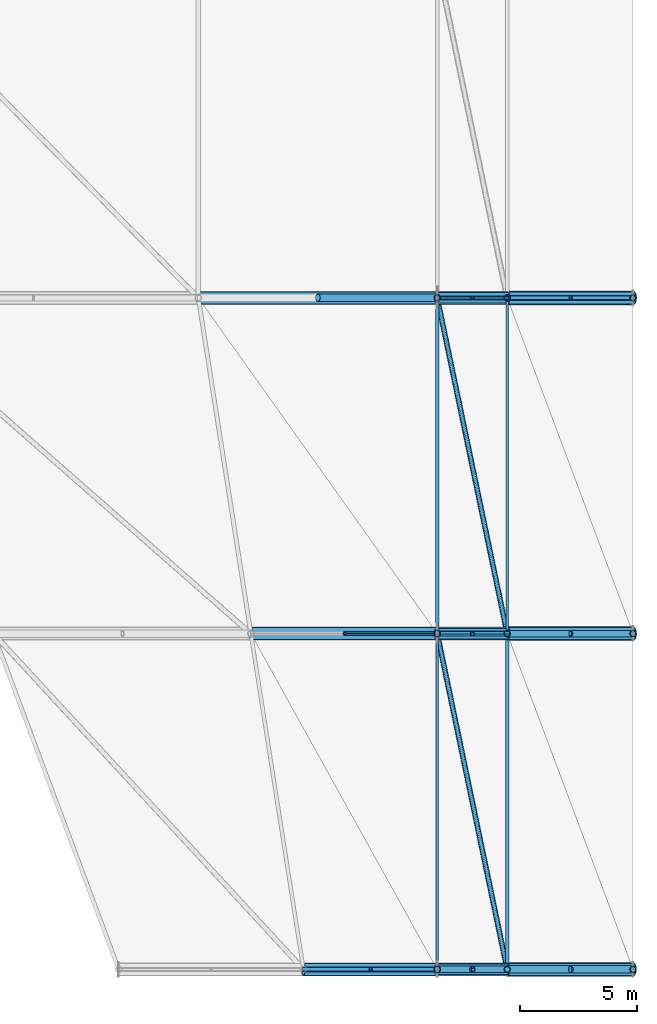
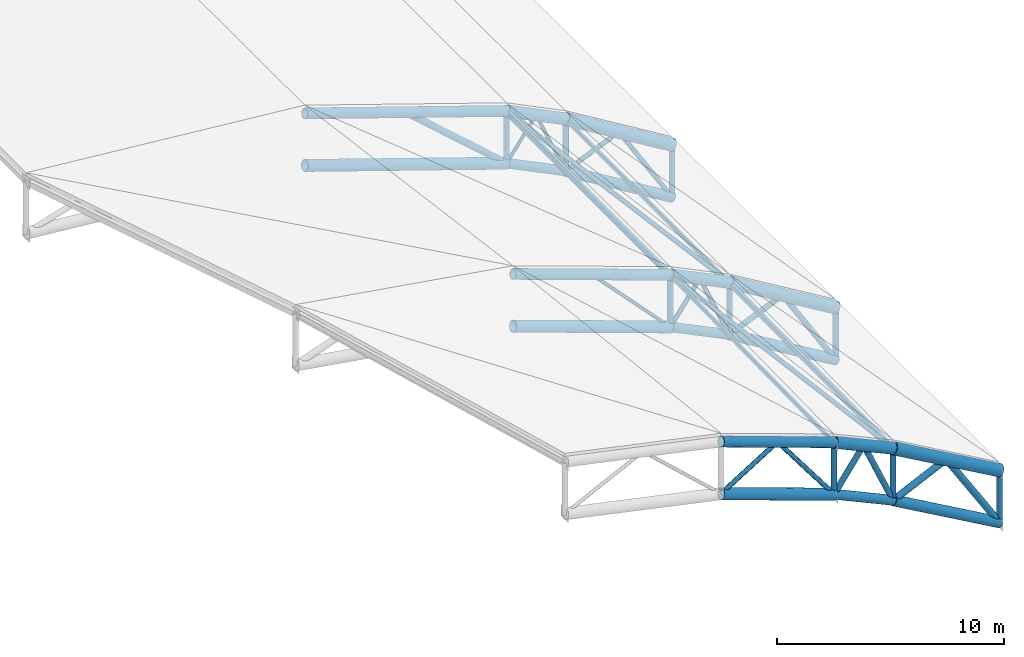
# One storey, part 16 of 36: 49 members.
"""IFC4 building model written with IfcOpenShell, lengths in metres."""

from ifc_helpers import new_model, si_unit, direction, frame, origin, origin_2d, place, context, subcontext, project, spatial, hollow_rectangle, hollow_circle, i_section, extrude, material, material_profile, profile_set, type_object, element, save


model = new_model("IFC4")

# Units and contexts
model_context = context("Model", 3, precision=1e-05, world=origin(), true_north=direction((0.0, 1.0)))
body_context = subcontext(model_context, "Body", "Model", "MODEL_VIEW")
ifc_project = project(units=[si_unit("LENGTHUNIT", "METRE"), si_unit("AREAUNIT", "SQUARE_METRE"), si_unit("VOLUMEUNIT", "CUBIC_METRE"), si_unit("PLANEANGLEUNIT", "RADIAN"), si_unit("MASSUNIT", "GRAM", prefix="KILO")], contexts=[model_context])

# Site, building, storey
site_placement = place(None, origin())
site = spatial("IfcSite", under=ifc_project, at=site_placement, CompositionType="ELEMENT")
building_placement = place(site_placement, origin())
building = spatial("IfcBuilding", under=site, at=building_placement, Name="Koshinbarg Plaza Stadium", CompositionType="ELEMENT")
storey_placement = place(building_placement, frame((0.0, 0.0, 34.199951171875)))
storey = spatial("IfcBuildingStorey", under=building, at=storey_placement, Name="RF", CompositionType="ELEMENT", Elevation=34.199951171875)

# Members
ifc_material = material(Name="Steel S355", Category="steel")
ifc_material_profile_1 = material_profile(ifc_material, hollow_circle(Radius=0.279541015625, WallThickness=0.022216796875, at=origin_2d()), Name="CHS 559x22.2")
ifc_profile_set_1 = profile_set([ifc_material_profile_1], Name="Steel S355")
member_type_1 = type_object("IfcMemberType", Name="MB-ARCH-BOT", PredefinedType="CHORD", material=ifc_profile_set_1)
member_1_placement = place(storey_placement, frame((189.39990234375, 25.5, -0.353271484375), z_axis=(-0.941982839682, 0.0, 0.335661033999), x_axis=(0.0, -1.0, 0.0)))
element("IfcMember", 1, at=member_1_placement, inside=storey, type_object=member_type_1, Name="Quarter-barrel roof truss bottom chord ERB-01-3", PredefinedType="CHORD", context=body_context, shape_type="SweptSolid", body=[
    extrude(hollow_circle(Radius=0.279541015625, WallThickness=0.022216796875, at=origin_2d()), origin(), (0.0, 0.0, 1.0), 6.09228515625),
])
member_2_placement = place(storey_placement, frame((189.39990234375, 39.89990234375, -0.10302734375), z_axis=(-0.942098779922, 0.0, 0.335335487041), x_axis=(0.0, -1.0, 0.0)))
element("IfcMember", 2, at=member_2_placement, inside=storey, type_object=member_type_1, Name="Quarter-barrel roof truss bottom chord ERB-02-3", PredefinedType="CHORD", context=body_context, shape_type="SweptSolid", body=[
    extrude(hollow_circle(Radius=0.279541015625, WallThickness=0.022216796875, at=origin_2d()), origin(), (0.0, 0.0, 1.0), 8.484619140625),
])
member_3_placement = place(storey_placement, frame((189.39990234375, 54.300048828125, -0.0400390625), z_axis=(-0.947427718422, 0.0, 0.319969871027), x_axis=(0.0, -1.0, 0.0)))
element("IfcMember", 3, at=member_3_placement, inside=storey, type_object=member_type_1, Name="Quarter-barrel roof truss bottom chord ERB-03-3", PredefinedType="CHORD", context=body_context, shape_type="SweptSolid", body=[
    extrude(hollow_circle(Radius=0.279541015625, WallThickness=0.022216796875, at=origin_2d()), origin(), (0.0, 0.0, 1.0), 10.81640625),
])
ifc_material_profile_2 = material_profile(ifc_material, hollow_circle(Radius=0.25390625, WallThickness=0.02001953125, at=origin_2d()), Name="CHS 508x20")
ifc_profile_set_2 = profile_set([ifc_material_profile_2], Name="Steel S355")
member_type_2 = type_object("IfcMemberType", Name="MB-ARCH-TOP", PredefinedType="CHORD", material=ifc_profile_set_2)
member_4_placement = place(storey_placement, frame((189.39990234375, 25.5, 2.446533203125), z_axis=(-0.94197016826, 0.0, 0.335696592339), x_axis=(0.0, -1.0, 0.0)))
element("IfcMember", 4, at=member_4_placement, inside=storey, type_object=member_type_2, Name="Quarter-barrel roof truss top chord ERB-01-3", PredefinedType="CHORD", context=body_context, shape_type="SweptSolid", body=[
    extrude(hollow_circle(Radius=0.25390625, WallThickness=0.02001953125, at=origin_2d()), origin(), (0.0, 0.0, 1.0), 6.09228515625),
])
member_5_placement = place(storey_placement, frame((189.39990234375, 39.89990234375, 2.697021484375), z_axis=(-0.942098779922, 0.0, 0.335335487041), x_axis=(0.0, -1.0, 0.0)))
element("IfcMember", 5, at=member_5_placement, inside=storey, type_object=member_type_2, Name="Quarter-barrel roof truss top chord ERB-02-3", PredefinedType="CHORD", context=body_context, shape_type="SweptSolid", body=[
    extrude(hollow_circle(Radius=0.25390625, WallThickness=0.02001953125, at=origin_2d()), origin(), (0.0, 0.0, 1.0), 8.484619140625),
])
member_6_placement = place(storey_placement, frame((189.39990234375, 54.300048828125, 2.760009765625), z_axis=(-0.947427718422, 0.0, 0.319969871027), x_axis=(0.0, -1.0, 0.0)))
element("IfcMember", 6, at=member_6_placement, inside=storey, type_object=member_type_2, Name="Quarter-barrel roof truss top chord ERB-03-3", PredefinedType="CHORD", context=body_context, shape_type="SweptSolid", body=[
    extrude(hollow_circle(Radius=0.25390625, WallThickness=0.02001953125, at=origin_2d()), origin(), (0.0, 0.0, 1.0), 10.81640625),
])
ifc_material_profile_3 = material_profile(ifc_material, hollow_circle(Radius=0.161865234375, WallThickness=0.01416015625, at=origin_2d()), Name="CHS 323.9x14.2")
ifc_profile_set_3 = profile_set([ifc_material_profile_3], Name="Steel S355")
member_type_3 = type_object("IfcMemberType", Name="MB-BRACE-01", PredefinedType="BRACE", material=ifc_profile_set_3)
member_7_placement = place(storey_placement, frame((197.800048828125, 25.5, -4.800048828125), z_axis=(-0.528524662436, 0.0, 0.84891794727), x_axis=(0.0, -1.0, 0.0)))
element("IfcMember", 7, at=member_7_placement, inside=storey, type_object=member_type_3, Name="Quarter-barrel roof truss web diagonal ERB-01-1A", PredefinedType="BRACE", context=body_context, shape_type="SweptSolid", body=[
    extrude(hollow_circle(Radius=0.161865234375, WallThickness=0.01416015625, at=origin_2d()), origin(), (0.0, 0.0, 1.0), 5.1083984375),
])
member_8_placement = place(storey_placement, frame((195.10009765625, 25.5, -0.46337890625), z_axis=(-0.905785208446, 0.0, -0.423737130967), x_axis=(0.0, -1.0, 0.0)))
element("IfcMember", 8, at=member_8_placement, inside=storey, type_object=member_type_3, Name="Quarter-barrel roof truss web diagonal ERB-01-1B", PredefinedType="BRACE", context=body_context, shape_type="SweptSolid", body=[
    extrude(hollow_circle(Radius=0.161865234375, WallThickness=0.01416015625, at=origin_2d()), origin(), (0.0, 0.0, 1.0), 2.98095703125),
])
member_9_placement = place(storey_placement, frame((189.39990234375, 54.300048828125, -0.0400390625), z_axis=(-0.749161416462, 0.0, 0.662387478811), x_axis=(0.0, -1.0, 0.0)))
element("IfcMember", 9, at=member_9_placement, inside=storey, type_object=member_type_3, Name="Quarter-barrel roof truss web diagonal ERB-03-3A", PredefinedType="BRACE", context=body_context, shape_type="SweptSolid", body=[
    extrude(hollow_circle(Radius=0.161865234375, WallThickness=0.01416015625, at=origin_2d()), origin(), (0.0, 0.0, 1.0), 6.839599609375),
])
ifc_material_profile_4 = material_profile(ifc_material, hollow_circle(Radius=0.136474609375, WallThickness=0.012451171875, at=origin_2d()), Name="CHS 273x12.5")
ifc_profile_set_4 = profile_set([ifc_material_profile_4], Name="Steel S355")
member_type_4 = type_object("IfcMemberType", Name="MB-BRACE-02", PredefinedType="BRACE", material=ifc_profile_set_4)
member_10_placement = place(storey_placement, frame((192.39990234375, 25.5, -1.7265625), z_axis=(-0.395199828763, 0.0, 0.918595174898), x_axis=(0.0, -1.0, 0.0)))
element("IfcMember", 10, at=member_10_placement, inside=storey, type_object=member_type_4, Name="Quarter-barrel roof truss web diagonal ERB-01-2A", PredefinedType="BRACE", context=body_context, shape_type="SweptSolid", body=[
    extrude(hollow_circle(Radius=0.136474609375, WallThickness=0.012451171875, at=origin_2d()), origin(), (0.0, 0.0, 1.0), 3.795654296875),
])
member_11_placement = place(storey_placement, frame((190.89990234375, 25.5, 1.760009765625), z_axis=(-0.578811678148, 0.0, -0.815461244474), x_axis=(0.0, -1.0, 0.0)))
element("IfcMember", 11, at=member_11_placement, inside=storey, type_object=member_type_4, Name="Quarter-barrel roof truss web diagonal ERB-01-2B", PredefinedType="BRACE", context=body_context, shape_type="SweptSolid", body=[
    extrude(hollow_circle(Radius=0.136474609375, WallThickness=0.012451171875, at=origin_2d()), origin(), (0.0, 0.0, 1.0), 2.591552734375),
])
member_12_placement = place(storey_placement, frame((197.800048828125, 25.5, -4.800048828125), z_axis=(0.0, 0.0, 1.0), x_axis=(1.0, 0.0, 0.0)))
element("IfcMember", 12, at=member_12_placement, inside=storey, type_object=member_type_4, Name="Quarter-barrel roof truss post ERB-01-1", PredefinedType="BRACE", context=body_context, shape_type="SweptSolid", body=[
    extrude(hollow_circle(Radius=0.136474609375, WallThickness=0.012451171875, at=origin_2d()), origin(), (0.0, 0.0, 1.0), 2.800048828125),
])
for number, where, z_axis, x_axis, name in (
    (13, (192.39990234375, 25.5, -1.7265625), (0.0, 0.0, 1.0), (1.0, 0.0, 0.0), "Quarter-barrel roof truss post ERB-01-2"),
    (14, (189.39990234375, 25.5, -0.353271484375), (0.0, 0.0, 1.0), (1.0, 0.0, 0.0), "Quarter-barrel roof truss post ERB-01-3"),
):
    element("IfcMember", number, at=place(storey_placement, frame(where, z_axis=z_axis, x_axis=x_axis)), inside=storey, type_object=member_type_4, Name=name, PredefinedType="BRACE", context=body_context, shape_type="SweptSolid", body=[
        extrude(hollow_circle(Radius=0.136474609375, WallThickness=0.012451171875, at=origin_2d()), origin(), (0.0, 0.0, 1.0), 2.7998046875),
    ])
member_13_placement = place(storey_placement, frame((197.800048828125, 39.89990234375, -4.800048828125), z_axis=(-0.521188821641, 0.0, 0.853441393534), x_axis=(0.0, -1.0, 0.0)))
element("IfcMember", 15, at=member_13_placement, inside=storey, type_object=member_type_4, Name="Quarter-barrel roof truss web diagonal ERB-02-1A", PredefinedType="BRACE", context=body_context, shape_type="SweptSolid", body=[
    extrude(hollow_circle(Radius=0.136474609375, WallThickness=0.012451171875, at=origin_2d()), origin(), (0.0, 0.0, 1.0), 5.180419921875),
])
member_14_placement = place(storey_placement, frame((195.10009765625, 39.89990234375, -0.37890625), z_axis=(-0.916453757084, 0.0, -0.400140614192), x_axis=(0.0, -1.0, 0.0)))
element("IfcMember", 16, at=member_14_placement, inside=storey, type_object=member_type_4, Name="Quarter-barrel roof truss web diagonal ERB-02-1B", PredefinedType="BRACE", context=body_context, shape_type="SweptSolid", body=[
    extrude(hollow_circle(Radius=0.136474609375, WallThickness=0.012451171875, at=origin_2d()), origin(), (0.0, 0.0, 1.0), 2.9462890625),
])
for number, where, z_axis, x_axis, name in (
    (17, (197.800048828125, 39.89990234375, -4.800048828125), (0.0, 0.0, 1.0), (1.0, 0.0, 0.0), "Quarter-barrel roof truss post ERB-02-1"),
    (18, (192.39990234375, 39.89990234375, -1.557861328125), (0.0, 0.0, 1.0), (1.0, 0.0, 0.0), "Quarter-barrel roof truss post ERB-02-2"),
    (19, (189.39990234375, 39.89990234375, -0.10302734375), (0.0, 0.0, 1.0), (1.0, 0.0, 0.0), "Quarter-barrel roof truss post ERB-02-3"),
    (20, (197.800048828125, 54.300048828125, -4.800048828125), (0.0, 0.0, 1.0), (1.0, 0.0, 0.0), "Quarter-barrel roof truss post ERB-03-1"),
    (21, (192.39990234375, 54.300048828125, -1.51513671875), (0.0, 0.0, 1.0), (1.0, 0.0, 0.0), "Quarter-barrel roof truss post ERB-03-2"),
    (22, (189.39990234375, 54.300048828125, -0.0400390625), (0.0, 0.0, 1.0), (1.0, 0.0, 0.0), "Quarter-barrel roof truss post ERB-03-3"),
):
    element("IfcMember", number, at=place(storey_placement, frame(where, z_axis=z_axis, x_axis=x_axis)), inside=storey, type_object=member_type_4, Name=name, PredefinedType="BRACE", context=body_context, shape_type="SweptSolid", body=[
        extrude(hollow_circle(Radius=0.136474609375, WallThickness=0.012451171875, at=origin_2d()), origin(), (0.0, 0.0, 1.0), 2.800048828125),
    ])
ifc_material_profile_5 = material_profile(ifc_material, hollow_circle(Radius=0.109619140625, WallThickness=0.010009765625, at=origin_2d()), Name="CHS 219.1x10")
ifc_profile_set_5 = profile_set([ifc_material_profile_5], Name="Steel S355")
member_type_5 = type_object("IfcMemberType", Name="MB-BRACE-03", PredefinedType="BRACE", material=ifc_profile_set_5)
member_15_placement = place(storey_placement, frame((189.39990234375, 25.5, -0.353271484375), z_axis=(-0.600335027586, 0.0, 0.799748619664), x_axis=(0.0, -1.0, 0.0)))
element("IfcMember", 23, at=member_15_placement, inside=storey, type_object=member_type_5, Name="Quarter-barrel roof truss web diagonal ERB-01-3A", PredefinedType="BRACE", context=body_context, shape_type="SweptSolid", body=[
    extrude(hollow_circle(Radius=0.109619140625, WallThickness=0.010009765625, at=origin_2d()), origin(), (0.0, 0.0, 1.0), 4.779541015625),
])
member_16_placement = place(storey_placement, frame((186.530517578125, 25.5, 3.46923828125), z_axis=(-0.850092457954, 0.0, -0.526633471145), x_axis=(0.0, -1.0, 0.0)))
element("IfcMember", 24, at=member_16_placement, inside=storey, type_object=member_type_5, Name="Quarter-barrel roof truss web diagonal ERB-01-3B", PredefinedType="BRACE", context=body_context, shape_type="SweptSolid", body=[
    extrude(hollow_circle(Radius=0.109619140625, WallThickness=0.010009765625, at=origin_2d()), origin(), (0.0, 0.0, 1.0), 3.37548828125),
])
member_17_placement = place(storey_placement, frame((192.39990234375, 39.89990234375, -1.557861328125), z_axis=(-0.391311912373, 0.0, 0.92025810903), x_axis=(0.0, -1.0, 0.0)))
element("IfcMember", 25, at=member_17_placement, inside=storey, type_object=member_type_5, Name="Quarter-barrel roof truss web diagonal ERB-02-2A", PredefinedType="BRACE", context=body_context, shape_type="SweptSolid", body=[
    extrude(hollow_circle(Radius=0.109619140625, WallThickness=0.010009765625, at=origin_2d()), origin(), (0.0, 0.0, 1.0), 3.833251953125),
])
member_18_placement = place(storey_placement, frame((190.89990234375, 39.89990234375, 1.9697265625), z_axis=(-0.586263716238, 0.0, -0.810120271949), x_axis=(0.0, -1.0, 0.0)))
element("IfcMember", 26, at=member_18_placement, inside=storey, type_object=member_type_5, Name="Quarter-barrel roof truss web diagonal ERB-02-2B", PredefinedType="BRACE", context=body_context, shape_type="SweptSolid", body=[
    extrude(hollow_circle(Radius=0.109619140625, WallThickness=0.010009765625, at=origin_2d()), origin(), (0.0, 0.0, 1.0), 2.55859375),
])
member_19_placement = place(storey_placement, frame((197.800048828125, 54.300048828125, -4.800048828125), z_axis=(-0.519370245222, 0.0, 0.854549324719), x_axis=(0.0, -1.0, 0.0)))
element("IfcMember", 27, at=member_19_placement, inside=storey, type_object=member_type_5, Name="Quarter-barrel roof truss web diagonal ERB-03-1A", PredefinedType="BRACE", context=body_context, shape_type="SweptSolid", body=[
    extrude(hollow_circle(Radius=0.109619140625, WallThickness=0.010009765625, at=origin_2d()), origin(), (0.0, 0.0, 1.0), 5.198486328125),
])
member_20_placement = place(storey_placement, frame((195.10009765625, 54.300048828125, -0.357666015625), z_axis=(-0.919114938458, 0.0, -0.393989504813), x_axis=(0.0, -1.0, 0.0)))
element("IfcMember", 28, at=member_20_placement, inside=storey, type_object=member_type_5, Name="Quarter-barrel roof truss web diagonal ERB-03-1B", PredefinedType="BRACE", context=body_context, shape_type="SweptSolid", body=[
    extrude(hollow_circle(Radius=0.109619140625, WallThickness=0.010009765625, at=origin_2d()), origin(), (0.0, 0.0, 1.0), 2.937744140625),
])
member_21_placement = place(storey_placement, frame((192.39990234375, 25.5, 1.0732421875), z_axis=(-0.202724061529, 0.973068896246, 0.109726378029), x_axis=(-0.978980143565, -0.203955579738, 0.0)))
element("IfcMember", 29, at=member_21_placement, inside=storey, type_object=member_type_5, Name="Roof plan wind brace east bay 1.2", PredefinedType="BRACE", context=body_context, shape_type="SweptSolid", body=[
    extrude(hollow_circle(Radius=0.109619140625, WallThickness=0.010009765625, at=origin_2d()), origin(), (0.0, 0.0, 1.0), 14.79833984375),
])
member_22_placement = place(storey_placement, frame((192.39990234375, 39.89990234375, 1.2421875), z_axis=(-0.202875047794, 0.973810135422, 0.102642754894), x_axis=(-0.978980833987, -0.203952265704, 0.0)))
element("IfcMember", 30, at=member_22_placement, inside=storey, type_object=member_type_5, Name="Roof plan wind brace east bay 2.2", PredefinedType="BRACE", context=body_context, shape_type="SweptSolid", body=[
    extrude(hollow_circle(Radius=0.109619140625, WallThickness=0.010009765625, at=origin_2d()), origin(), (0.0, 0.0, 1.0), 14.787353515625),
])
ifc_material_profile_6 = material_profile(ifc_material, hollow_circle(Radius=0.084228515625, WallThickness=0.008056640625, at=origin_2d()), Name="CHS 168.3x8")
ifc_profile_set_6 = profile_set([ifc_material_profile_6], Name="Steel S355")
member_type_6 = type_object("IfcMemberType", Name="MB-BRACE-04", PredefinedType="BRACE", material=ifc_profile_set_6)
member_23_placement = place(storey_placement, frame((189.39990234375, 39.89990234375, -0.10302734375), z_axis=(-0.687397482142, 0.0, 0.72628142035), x_axis=(0.0, -1.0, 0.0)))
element("IfcMember", 31, at=member_23_placement, inside=storey, type_object=member_type_6, Name="Quarter-barrel roof truss web diagonal ERB-02-3A", PredefinedType="BRACE", context=body_context, shape_type="SweptSolid", body=[
    extrude(hollow_circle(Radius=0.084228515625, WallThickness=0.008056640625, at=origin_2d()), origin(), (0.0, 0.0, 1.0), 5.81396484375),
])
member_24_placement = place(storey_placement, frame((192.39990234375, 54.300048828125, -1.51513671875), z_axis=(-0.390373616202, 0.0, 0.920656526492), x_axis=(0.0, -1.0, 0.0)))
element("IfcMember", 32, at=member_24_placement, inside=storey, type_object=member_type_6, Name="Quarter-barrel roof truss web diagonal ERB-03-2A", PredefinedType="BRACE", context=body_context, shape_type="SweptSolid", body=[
    extrude(hollow_circle(Radius=0.084228515625, WallThickness=0.008056640625, at=origin_2d()), origin(), (0.0, 0.0, 1.0), 3.842529296875),
])
member_25_placement = place(storey_placement, frame((190.89990234375, 54.300048828125, 2.0224609375), z_axis=(-0.588171697675, 0.0, -0.808736084303), x_axis=(0.0, -1.0, 0.0)))
element("IfcMember", 33, at=member_25_placement, inside=storey, type_object=member_type_6, Name="Quarter-barrel roof truss web diagonal ERB-03-2B", PredefinedType="BRACE", context=body_context, shape_type="SweptSolid", body=[
    extrude(hollow_circle(Radius=0.084228515625, WallThickness=0.008056640625, at=origin_2d()), origin(), (0.0, 0.0, 1.0), 2.55029296875),
])
ifc_material_profile_7 = material_profile(ifc_material, hollow_circle(Radius=0.304931640625, WallThickness=0.02490234375, at=origin_2d()), Name="CHS 610x25")
ifc_profile_set_7 = profile_set([ifc_material_profile_7], Name="Steel S355")
member_type_7 = type_object("IfcMemberType", Name="MB-CHORD-01", PredefinedType="CHORD", material=ifc_profile_set_7)
member_26_placement = place(storey_placement, frame((197.800048828125, 25.5, -2.0), z_axis=(-0.869112287244, 0.0, 0.494614832128), x_axis=(0.0, -1.0, 0.0)))
element("IfcMember", 34, at=member_26_placement, inside=storey, type_object=member_type_7, Name="Quarter-barrel roof truss top chord ERB-01-1", PredefinedType="CHORD", context=body_context, shape_type="SweptSolid", body=[
    extrude(hollow_circle(Radius=0.304931640625, WallThickness=0.02490234375, at=origin_2d()), origin(), (0.0, 0.0, 1.0), 6.21337890625),
])
member_27_placement = place(storey_placement, frame((197.800048828125, 39.89990234375, -2.0), z_axis=(-0.857345828386, 0.0, 0.514740838237), x_axis=(0.0, -1.0, 0.0)))
element("IfcMember", 35, at=member_27_placement, inside=storey, type_object=member_type_7, Name="Quarter-barrel roof truss top chord ERB-02-1", PredefinedType="CHORD", context=body_context, shape_type="SweptSolid", body=[
    extrude(hollow_circle(Radius=0.304931640625, WallThickness=0.02490234375, at=origin_2d()), origin(), (0.0, 0.0, 1.0), 6.298583984375),
])
member_28_placement = place(storey_placement, frame((197.800048828125, 54.300048828125, -2.0), z_axis=(-0.854348438745, 0.0, 0.519700630377), x_axis=(0.0, -1.0, 0.0)))
element("IfcMember", 36, at=member_28_placement, inside=storey, type_object=member_type_7, Name="Quarter-barrel roof truss top chord ERB-03-1", PredefinedType="CHORD", context=body_context, shape_type="SweptSolid", body=[
    extrude(hollow_circle(Radius=0.304931640625, WallThickness=0.02490234375, at=origin_2d()), origin(), (0.0, 0.0, 1.0), 6.32080078125),
])
ifc_material_profile_8 = material_profile(ifc_material, hollow_circle(Radius=0.279541015625, WallThickness=0.022216796875, at=origin_2d()), Name="CHS 559x22.2")
ifc_profile_set_8 = profile_set([ifc_material_profile_8], Name="Steel S355")
member_type_8 = type_object("IfcMemberType", Name="MB-CHORD-02", PredefinedType="CHORD", material=ifc_profile_set_8)
member_29_placement = place(storey_placement, frame((192.39990234375, 25.5, 1.0732421875), z_axis=(-0.909260911954, 0.0, 0.416226613748), x_axis=(0.0, -1.0, 0.0)))
element("IfcMember", 37, at=member_29_placement, inside=storey, type_object=member_type_8, Name="Quarter-barrel roof truss top chord ERB-01-2", PredefinedType="CHORD", context=body_context, shape_type="SweptSolid", body=[
    extrude(hollow_circle(Radius=0.279541015625, WallThickness=0.022216796875, at=origin_2d()), origin(), (0.0, 0.0, 1.0), 3.29931640625),
])
member_30_placement = place(storey_placement, frame((192.39990234375, 39.89990234375, 1.2421875), z_axis=(-0.899780132751, 0.0, 0.436343571864), x_axis=(0.0, -1.0, 0.0)))
element("IfcMember", 38, at=member_30_placement, inside=storey, type_object=member_type_8, Name="Quarter-barrel roof truss top chord ERB-02-2", PredefinedType="CHORD", context=body_context, shape_type="SweptSolid", body=[
    extrude(hollow_circle(Radius=0.279541015625, WallThickness=0.022216796875, at=origin_2d()), origin(), (0.0, 0.0, 1.0), 3.334228515625),
])
member_31_placement = place(storey_placement, frame((192.39990234375, 54.300048828125, 1.284912109375), z_axis=(-0.897386943952, 0.0, 0.441244459257), x_axis=(0.0, -1.0, 0.0)))
element("IfcMember", 39, at=member_31_placement, inside=storey, type_object=member_type_8, Name="Quarter-barrel roof truss top chord ERB-03-2", PredefinedType="CHORD", context=body_context, shape_type="SweptSolid", body=[
    extrude(hollow_circle(Radius=0.279541015625, WallThickness=0.022216796875, at=origin_2d()), origin(), (0.0, 0.0, 1.0), 3.343017578125),
])
ifc_material_profile_9 = material_profile(ifc_material, hollow_circle(Radius=0.25390625, WallThickness=0.02001953125, at=origin_2d()), Name="CHS 508x20")
ifc_profile_set_9 = profile_set([ifc_material_profile_9], Name="Steel S355")
member_type_9 = type_object("IfcMemberType", Name="MB-CHORD-03", PredefinedType="CHORD", material=ifc_profile_set_9)
member_32_placement = place(storey_placement, frame((197.800048828125, 25.5, -4.800048828125), z_axis=(-0.869095396141, 0.0, 0.494644511145), x_axis=(0.0, -1.0, 0.0)))
element("IfcMember", 40, at=member_32_placement, inside=storey, type_object=member_type_9, Name="Quarter-barrel roof truss bottom chord ERB-01-1", PredefinedType="CHORD", context=body_context, shape_type="SweptSolid", body=[
    extrude(hollow_circle(Radius=0.25390625, WallThickness=0.02001953125, at=origin_2d()), origin(), (0.0, 0.0, 1.0), 6.213623046875),
])
member_33_placement = place(storey_placement, frame((197.800048828125, 39.89990234375, -4.800048828125), z_axis=(-0.857345828386, 0.0, 0.514740838237), x_axis=(0.0, -1.0, 0.0)))
element("IfcMember", 41, at=member_33_placement, inside=storey, type_object=member_type_9, Name="Quarter-barrel roof truss bottom chord ERB-02-1", PredefinedType="CHORD", context=body_context, shape_type="SweptSolid", body=[
    extrude(hollow_circle(Radius=0.25390625, WallThickness=0.02001953125, at=origin_2d()), origin(), (0.0, 0.0, 1.0), 6.298583984375),
])
member_34_placement = place(storey_placement, frame((197.800048828125, 54.300048828125, -4.800048828125), z_axis=(-0.854348438745, 0.0, 0.519700630377), x_axis=(0.0, -1.0, 0.0)))
element("IfcMember", 42, at=member_34_placement, inside=storey, type_object=member_type_9, Name="Quarter-barrel roof truss bottom chord ERB-03-1", PredefinedType="CHORD", context=body_context, shape_type="SweptSolid", body=[
    extrude(hollow_circle(Radius=0.25390625, WallThickness=0.02001953125, at=origin_2d()), origin(), (0.0, 0.0, 1.0), 6.32080078125),
])
ifc_material_profile_10 = material_profile(ifc_material, hollow_circle(Radius=0.228515625, WallThickness=0.02001953125, at=origin_2d()), Name="CHS 457x20")
ifc_profile_set_10 = profile_set([ifc_material_profile_10], Name="Steel S355")
member_type_10 = type_object("IfcMemberType", Name="MB-CHORD-04", PredefinedType="CHORD", material=ifc_profile_set_10)
member_35_placement = place(storey_placement, frame((192.39990234375, 25.5, -1.7265625), z_axis=(-0.909260911954, 0.0, 0.416226613748), x_axis=(0.0, -1.0, 0.0)))
element("IfcMember", 43, at=member_35_placement, inside=storey, type_object=member_type_10, Name="Quarter-barrel roof truss bottom chord ERB-01-2", PredefinedType="CHORD", context=body_context, shape_type="SweptSolid", body=[
    extrude(hollow_circle(Radius=0.228515625, WallThickness=0.02001953125, at=origin_2d()), origin(), (0.0, 0.0, 1.0), 3.29931640625),
])
member_36_placement = place(storey_placement, frame((192.39990234375, 39.89990234375, -1.557861328125), z_axis=(-0.899780132751, 0.0, 0.436343571864), x_axis=(0.0, -1.0, 0.0)))
element("IfcMember", 44, at=member_36_placement, inside=storey, type_object=member_type_10, Name="Quarter-barrel roof truss bottom chord ERB-02-2", PredefinedType="CHORD", context=body_context, shape_type="SweptSolid", body=[
    extrude(hollow_circle(Radius=0.228515625, WallThickness=0.02001953125, at=origin_2d()), origin(), (0.0, 0.0, 1.0), 3.334228515625),
])
member_37_placement = place(storey_placement, frame((192.39990234375, 54.300048828125, -1.51513671875), z_axis=(-0.897386943952, 0.0, 0.441244459257), x_axis=(0.0, -1.0, 0.0)))
element("IfcMember", 45, at=member_37_placement, inside=storey, type_object=member_type_10, Name="Quarter-barrel roof truss bottom chord ERB-03-2", PredefinedType="CHORD", context=body_context, shape_type="SweptSolid", body=[
    extrude(hollow_circle(Radius=0.228515625, WallThickness=0.02001953125, at=origin_2d()), origin(), (0.0, 0.0, 1.0), 3.343017578125),
])
ifc_material_profile_11 = material_profile(ifc_material, hollow_rectangle(XDim=0.14990234375, YDim=0.25, WallThickness=0.010009765625, at=origin_2d()), Name="RHS 250x150x10")
ifc_profile_set_11 = profile_set([ifc_material_profile_11], Name="Steel S355")
member_type_11 = type_object("IfcMemberType", Name="MB-PURL-02", PredefinedType="PURLIN", material=ifc_profile_set_11)
member_38_placement = place(storey_placement, frame((192.39990234375, 25.5, 1.053466796875), z_axis=(0.0, 0.999931381313, 0.01171463471), x_axis=(-1.0, 0.0, 0.0)))
element("IfcMember", 46, at=member_38_placement, inside=storey, type_object=member_type_11, Name="Roof longitudinal purlin east bay 1.2", PredefinedType="PURLIN", context=body_context, shape_type="SweptSolid", body=[
    extrude(hollow_rectangle(XDim=0.14990234375, YDim=0.25, WallThickness=0.010009765625, at=origin_2d()), origin(), (0.0, 0.0, 1.0), 14.40087890625),
])
ifc_material_profile_12 = material_profile(ifc_material, hollow_rectangle(XDim=0.10009765625, YDim=0.199951171875, WallThickness=0.008056640625, at=origin_2d()), Name="RHS 200x100x8")
ifc_profile_set_12 = profile_set([ifc_material_profile_12], Name="Steel S355")
member_type_12 = type_object("IfcMemberType", Name="MB-PURL-03", PredefinedType="PURLIN", material=ifc_profile_set_12)
member_39_placement = place(storey_placement, frame((189.39990234375, 25.5, 2.4267578125), z_axis=(0.0, 0.999849033568, 0.017375559652), x_axis=(-1.0, 0.0, 0.0)))
element("IfcMember", 47, at=member_39_placement, inside=storey, type_object=member_type_12, Name="Roof longitudinal purlin east bay 1.3", PredefinedType="PURLIN", context=body_context, shape_type="SweptSolid", body=[
    extrude(hollow_rectangle(XDim=0.10009765625, YDim=0.199951171875, WallThickness=0.008056640625, at=origin_2d()), origin(), (0.0, 0.0, 1.0), 14.402099609375),
])
member_40_placement = place(storey_placement, frame((192.39990234375, 39.89990234375, 1.22216796875), z_axis=(0.0, 0.999995598613, 0.002966943522), x_axis=(-1.0, 0.0, 0.0)))
element("IfcMember", 48, at=member_40_placement, inside=storey, type_object=member_type_12, Name="Roof longitudinal purlin east bay 2.2", PredefinedType="PURLIN", context=body_context, shape_type="SweptSolid", body=[
    extrude(hollow_rectangle(XDim=0.10009765625, YDim=0.199951171875, WallThickness=0.008056640625, at=origin_2d()), origin(), (0.0, 0.0, 1.0), 14.400146484375),
])
ifc_material_profile_13 = material_profile(ifc_material, i_section(OverallWidth=0.14990234375, OverallDepth=0.300048828125, WebThickness=0.007080078125, FlangeThickness=0.0107421875, at=origin_2d()), Name="IPE 300")
ifc_profile_set_13 = profile_set([ifc_material_profile_13], Name="Steel S355")
member_type_13 = type_object("IfcMemberType", Name="MB-PURL-04", PredefinedType="PURLIN", material=ifc_profile_set_13)
member_41_placement = place(storey_placement, frame((189.39990234375, 39.89990234375, 2.677001953125), z_axis=(0.0, 0.999990433579, 0.004374099857), x_axis=(-1.0, 0.0, 0.0)))
element("IfcMember", 49, at=member_41_placement, inside=storey, type_object=member_type_13, Name="Roof longitudinal purlin east bay 2.3", PredefinedType="PURLIN", context=body_context, shape_type="SweptSolid", body=[
    extrude(i_section(OverallWidth=0.14990234375, OverallDepth=0.300048828125, WebThickness=0.007080078125, FlangeThickness=0.0107421875, at=origin_2d()), origin(), (0.0, 0.0, 1.0), 14.400390625),
])

save(model, "model.ifc")
